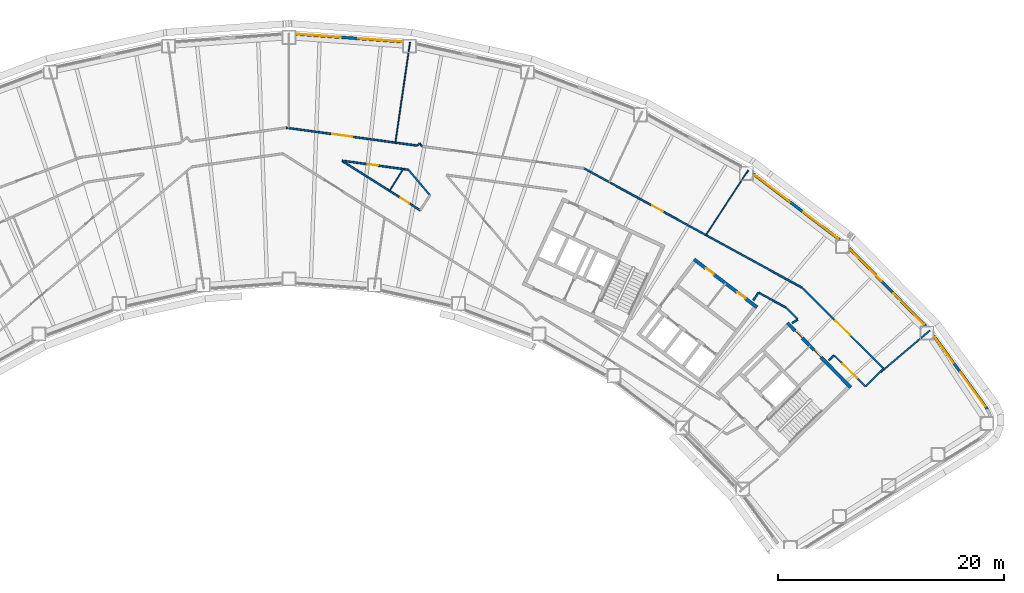
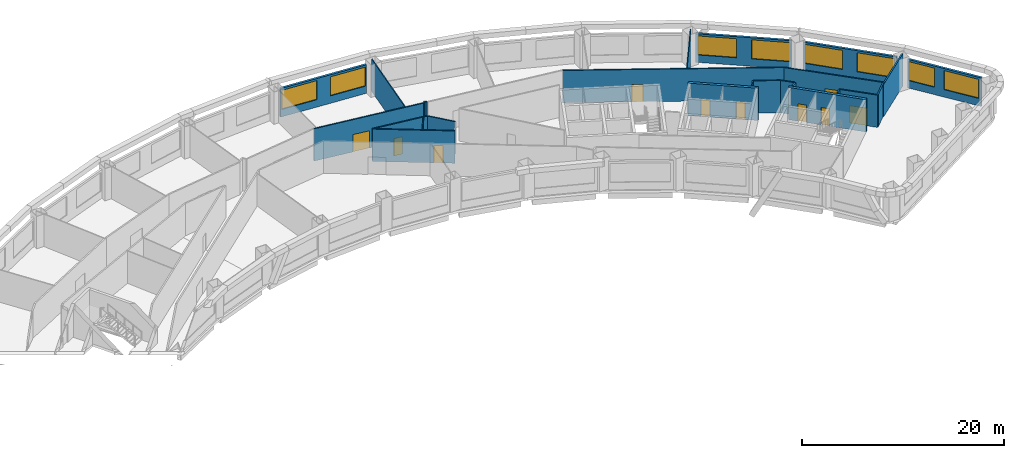
# One storey, part 7 of 10: 25 walls, 10 doors, 8 windows, 18 openings.
"""IFC4 building model written with IfcOpenShell, lengths in metres."""

from ifc_helpers import new_model, si_unit, direction, frame, frame_2d, origin, place, context, subcontext, project, spatial, rectangle, extrude, material, layer, layer_set, type_object, element, fill, save


model = new_model("IFC4")

# Units and contexts
model_context = context("Model", 3, precision=1e-05, world=origin(), true_north=direction((0.0, 1.0)))
body_context = subcontext(model_context, "Body", "Model", "MODEL_VIEW")
ifc_project = project(units=[si_unit("LENGTHUNIT", "METRE"), si_unit("AREAUNIT", "SQUARE_METRE"), si_unit("VOLUMEUNIT", "CUBIC_METRE"), si_unit("PLANEANGLEUNIT", "RADIAN"), si_unit("MASSUNIT", "GRAM", prefix="KILO")], contexts=[model_context])

# Site, building, storey
site_placement = place(None, origin())
site = spatial("IfcSite", under=ifc_project, at=site_placement, CompositionType="ELEMENT")
building_placement = place(site_placement, origin())
building = spatial("IfcBuilding", under=site, at=building_placement, Name="Tuul Gate Civic Tower", CompositionType="ELEMENT")
storey_placement = place(building_placement, frame((0.0, 0.0, 86.39990234375)))
storey = spatial("IfcBuildingStorey", under=building, at=storey_placement, Name="Level 19", CompositionType="ELEMENT", Elevation=86.39990234375)

# Wall, openings, doors
ifc_material_1 = material(Name="Concrete C50/60", Category="concrete")
ifc_layer_1 = layer(ifc_material_1, 0.300048828125)
ifc_layer_set_1 = layer_set([ifc_layer_1], Name="Concrete C50/60")
wall_type_1 = type_object("IfcWallType", Name="Core wall C50/60", PredefinedType="SHEAR", material=ifc_layer_set_1)
wall_1_placement = place(storey_placement, frame((54.43798828125, -12.23779296875, 0.0), z_axis=(0.0, 0.0, 1.0), x_axis=(-0.700021979774, 0.714121297703, 0.0)))
wall_1 = element("IfcWall", 1, at=wall_1_placement, inside=storey, type_object=wall_type_1, Name="Core wall", PredefinedType="SHEAR", context=body_context, shape_type="SweptSolid", body=[
    extrude(rectangle(XDim=8.0, YDim=0.300048828125, at=frame_2d((4.0, 0.0))), origin(), (0.0, 0.0, 1.0), 3.900146484375),
])
opening_1_placement = place(wall_1_placement, frame((3.75, 0.0, 0.0)))
opening_1 = element("IfcOpeningElement", 2, at=opening_1_placement, cuts=wall_1, Name="Opening F-D29", PredefinedType="OPENING", context=body_context, shape_type="SweptSolid", body=[
    extrude(rectangle(XDim=0.89990234375, YDim=2.10009765625, at=frame_2d((0.449951171875, 1.050048828125))), frame((0.0, 0.16015625, 0.0), z_axis=(0.0, -1.0, 0.0), x_axis=(1.0, 0.0, 0.0)), (0.0, 0.0, 1.0), 0.320068359375),
])
opening_2_placement = place(wall_1_placement, frame((6.125, 0.0, 0.0)))
opening_2 = element("IfcOpeningElement", 3, at=opening_2_placement, cuts=wall_1, Name="Opening F-D30", PredefinedType="OPENING", context=body_context, shape_type="SweptSolid", body=[
    extrude(rectangle(XDim=0.89990234375, YDim=2.10009765625, at=frame_2d((0.449951171875, 1.050048828125))), frame((0.0, 0.16015625, 0.0), z_axis=(0.0, -1.0, 0.0), x_axis=(1.0, 0.0, 0.0)), (0.0, 0.0, 1.0), 0.320068359375),
])
ifc_material_2 = material(Name="Timber door leaf", Category="wood")
door_type_1 = type_object("IfcDoorType", Name="Door D09", OperationType="NOTDEFINED", PredefinedType="DOOR", material=ifc_material_2)
door_1_placement = place(opening_1_placement, origin())
door_1 = element("IfcDoor", 4, at=door_1_placement, inside=storey, type_object=door_type_1, Name="Door F-D29", OperationType="SINGLE_SWING_LEFT", OverallHeight=2.10009765625, OverallWidth=0.89990234375, PredefinedType="DOOR", context=body_context, shape_type="SweptSolid", body=[
    extrude(rectangle(XDim=0.89990234375, YDim=2.10009765625, at=frame_2d((0.449951171875, 1.050048828125))), frame((0.0, 0.02490234375, 0.0), z_axis=(0.0, -1.0, 0.0), x_axis=(1.0, 0.0, 0.0)), (0.0, 0.0, 1.0), 0.050048828125),
])
fill(opening_1, door_1)
door_2_placement = place(opening_2_placement, origin())
door_2 = element("IfcDoor", 5, at=door_2_placement, inside=storey, type_object=door_type_1, Name="Door F-D30", OperationType="SINGLE_SWING_LEFT", OverallHeight=2.10009765625, OverallWidth=0.89990234375, PredefinedType="DOOR", context=body_context, shape_type="SweptSolid", body=[
    extrude(rectangle(XDim=0.89990234375, YDim=2.10009765625, at=frame_2d((0.449951171875, 1.050048828125))), frame((0.0, 0.02490234375, 0.0), z_axis=(0.0, -1.0, 0.0), x_axis=(1.0, 0.0, 0.0)), (0.0, 0.0, 1.0), 0.050048828125),
])
fill(opening_2, door_2)

# Walls
ifc_material_3 = material(Name="Gypsum board partition")
ifc_layer_2 = layer(ifc_material_3, 0.14990234375)
ifc_layer_set_2 = layer_set([ifc_layer_2], Name="Gypsum board partition")
wall_type_2 = type_object("IfcWallType", Name="Corridor wall P150", PredefinedType="PARTITIONING", material=ifc_layer_set_2)
wall_2_placement = place(storey_placement, frame((57.06787109375, -10.894775390625, 0.0), z_axis=(0.0, 0.0, 1.0), x_axis=(0.762772520213, 0.646666902206, 0.0)))
element("IfcWall", 6, at=wall_2_placement, inside=storey, type_object=wall_type_2, Name="p005", PredefinedType="PARTITIONING", context=body_context, shape_type="SweptSolid", body=[
    extrude(rectangle(XDim=5.7216796875, YDim=0.14990234375, at=frame_2d((2.86083984375, 0.0))), origin(), (0.0, 0.0, 1.0), 3.900146484375),
])
wall_3_placement = place(storey_placement, frame((55.7421875, -12.146484375, 0.0), z_axis=(0.0, 0.0, 1.0), x_axis=(0.703788490307, 0.710409572649, 0.0)))
element("IfcWall", 7, at=wall_3_placement, inside=storey, type_object=wall_type_2, Name="p006", PredefinedType="PARTITIONING", context=body_context, shape_type="SweptSolid", body=[
    extrude(rectangle(XDim=2.249267578125, YDim=0.14990234375, at=frame_2d((1.12451171875, 0.0))), origin(), (0.0, 0.0, 1.0), 3.900146484375),
])

# Wall, opening, door
wall_4_placement = place(storey_placement, frame((50.1171875, -3.406494140625, 0.0), z_axis=(0.0, 0.0, 1.0), x_axis=(0.710383510351, -0.703814796819, 0.0)))
wall_4 = element("IfcWall", 8, at=wall_4_placement, inside=storey, type_object=wall_type_2, Name="p007", PredefinedType="PARTITIONING", context=body_context, shape_type="SweptSolid", body=[
    extrude(rectangle(XDim=10.146728515625, YDim=0.14990234375, at=frame_2d((5.0732421875, 0.0))), origin(), (0.0, 0.0, 1.0), 3.900146484375),
])
opening_3_placement = place(wall_4_placement, frame((4.17333984375, 0.0, 0.0)))
opening_3 = element("IfcOpeningElement", 9, at=opening_3_placement, cuts=wall_4, Name="Opening F-D01", PredefinedType="OPENING", context=body_context, shape_type="SweptSolid", body=[
    extrude(rectangle(XDim=1.800048828125, YDim=2.10009765625, at=frame_2d((0.89990234375, 1.050048828125))), frame((0.0, 0.0849609375, 0.0), z_axis=(0.0, -1.0, 0.0), x_axis=(1.0, 0.0, 0.0)), (0.0, 0.0, 1.0), 0.169921875),
])
ifc_material_4 = material(Name="Timber door leaf, double", Category="wood")
door_type_2 = type_object("IfcDoorType", Name="Door D18", OperationType="DOUBLE_DOOR_SINGLE_SWING", PredefinedType="DOOR", material=ifc_material_4)
door_3_placement = place(opening_3_placement, origin())
door_3 = element("IfcDoor", 10, at=door_3_placement, inside=storey, type_object=door_type_2, Name="Door F-D01", OperationType="DOUBLE_DOOR_SINGLE_SWING", OverallHeight=2.10009765625, OverallWidth=1.800048828125, PredefinedType="DOOR", context=body_context, shape_type="SweptSolid", body=[
    extrude(rectangle(XDim=1.800048828125, YDim=2.10009765625, at=frame_2d((0.89990234375, 1.050048828125))), frame((0.0, 0.02490234375, 0.0), z_axis=(0.0, -1.0, 0.0), x_axis=(1.0, 0.0, 0.0)), (0.0, 0.0, 1.0), 0.050048828125),
])
fill(opening_3, door_3)

wall_5_placement = place(storey_placement, frame((30.8818359375, 7.12158203125, 0.0), z_axis=(0.0, 0.0, 1.0), x_axis=(0.877209600758, -0.480107609122, 0.0)))
wall_5 = element("IfcWall", 11, at=wall_5_placement, inside=storey, type_object=wall_type_2, Name="p008", PredefinedType="PARTITIONING", context=body_context, shape_type="SweptSolid", body=[
    extrude(rectangle(XDim=21.927001953125, YDim=0.14990234375, at=frame_2d((10.96337890625, 0.0))), origin(), (0.0, 0.0, 1.0), 3.900146484375),
])
opening_4_placement = place(wall_5_placement, frame((6.857666015625, 0.0, 0.0)))
opening_4 = element("IfcOpeningElement", 12, at=opening_4_placement, cuts=wall_5, Name="Opening F-D02", PredefinedType="OPENING", context=body_context, shape_type="SweptSolid", body=[
    extrude(rectangle(XDim=1.10009765625, YDim=2.10009765625, at=frame_2d((0.550048828125, 1.050048828125))), frame((0.0, 0.0849609375, 0.0), z_axis=(0.0, -1.0, 0.0), x_axis=(1.0, 0.0, 0.0)), (0.0, 0.0, 1.0), 0.169921875),
])
ifc_material_5 = material(Name="Timber door leaf", Category="wood")
door_type_3 = type_object("IfcDoorType", Name="Door D11", OperationType="NOTDEFINED", PredefinedType="DOOR", material=ifc_material_5)
door_4_placement = place(opening_4_placement, origin())
door_4 = element("IfcDoor", 13, at=door_4_placement, inside=storey, type_object=door_type_3, Name="Door F-D02", OperationType="SINGLE_SWING_RIGHT", OverallHeight=2.10009765625, OverallWidth=1.10009765625, PredefinedType="DOOR", context=body_context, shape_type="SweptSolid", body=[
    extrude(rectangle(XDim=1.10009765625, YDim=2.10009765625, at=frame_2d((0.550048828125, 1.050048828125))), frame((0.0, 0.02490234375, 0.0), z_axis=(0.0, -1.0, 0.0), x_axis=(1.0, 0.0, 0.0)), (0.0, 0.0, 1.0), 0.050048828125),
])
fill(opening_4, door_4)

wall_6_placement = place(storey_placement, frame((4.52392578125, 10.715087890625, 0.0), z_axis=(0.0, 0.0, 1.0), x_axis=(0.990835627406, -0.135073163368, 0.0)))
wall_6 = element("IfcWall", 14, at=wall_6_placement, inside=storey, type_object=wall_type_2, Name="p011", PredefinedType="PARTITIONING", context=body_context, shape_type="SweptSolid", body=[
    extrude(rectangle(XDim=11.69970703125, YDim=0.14990234375, at=frame_2d((5.849853515625, 0.0))), origin(), (0.0, 0.0, 1.0), 3.900146484375),
])
opening_5_placement = place(wall_6_placement, frame((4.13330078125, 0.0, 0.0)))
opening_5 = element("IfcOpeningElement", 15, at=opening_5_placement, cuts=wall_6, Name="Opening F-D05", PredefinedType="OPENING", context=body_context, shape_type="SweptSolid", body=[
    extrude(rectangle(XDim=1.800048828125, YDim=2.10009765625, at=frame_2d((0.89990234375, 1.050048828125))), frame((0.0, 0.0849609375, 0.0), z_axis=(0.0, -1.0, 0.0), x_axis=(1.0, 0.0, 0.0)), (0.0, 0.0, 1.0), 0.169921875),
])
door_5_placement = place(opening_5_placement, origin())
door_5 = element("IfcDoor", 16, at=door_5_placement, inside=storey, type_object=door_type_2, Name="Door F-D05", OperationType="DOUBLE_DOOR_SINGLE_SWING", OverallHeight=2.10009765625, OverallWidth=1.800048828125, PredefinedType="DOOR", context=body_context, shape_type="SweptSolid", body=[
    extrude(rectangle(XDim=1.800048828125, YDim=2.10009765625, at=frame_2d((0.89990234375, 1.050048828125))), frame((0.0, 0.02490234375, 0.0), z_axis=(0.0, -1.0, 0.0), x_axis=(1.0, 0.0, 0.0)), (0.0, 0.0, 1.0), 0.050048828125),
])
fill(opening_5, door_5)

# Walls
wall_7_placement = place(storey_placement, frame((16.346923828125, 9.3203125, 0.0), z_axis=(0.0, 0.0, 1.0), x_axis=(0.645837465776, -0.763474929385, 0.0)))
element("IfcWall", 17, at=wall_7_placement, inside=storey, type_object=wall_type_2, Name="p015", PredefinedType="PARTITIONING", context=body_context, shape_type="SweptSolid", body=[
    extrude(rectangle(XDim=0.3134765625, YDim=0.14990234375, at=frame_2d((0.15673828125, 0.0))), origin(), (0.0, 0.0, 1.0), 3.900146484375),
])
wall_8_placement = place(storey_placement, frame((16.132080078125, 9.139404296875, 0.0), z_axis=(0.0, 0.0, 1.0), x_axis=(0.764211041298, 0.644966266062, 0.0)))
element("IfcWall", 18, at=wall_8_placement, inside=storey, type_object=wall_type_2, Name="p017", PredefinedType="PARTITIONING", context=body_context, shape_type="SweptSolid", body=[
    extrude(rectangle(XDim=0.280517578125, YDim=0.14990234375, at=frame_2d((0.14013671875, 0.0))), origin(), (0.0, 0.0, 1.0), 3.900146484375),
])
wall_9_placement = place(storey_placement, frame((15.366943359375, 6.993896484375, 0.0), z_axis=(0.0, 0.0, 1.0), x_axis=(0.645340752688, -0.76389483106, 0.0)))
element("IfcWall", 19, at=wall_9_placement, inside=storey, type_object=wall_type_2, Name="p039", PredefinedType="PARTITIONING", context=body_context, shape_type="SweptSolid", body=[
    extrude(rectangle(XDim=2.930419921875, YDim=0.14990234375, at=frame_2d((1.46533203125, 0.0))), origin(), (0.0, 0.0, 1.0), 3.900146484375),
])

# Wall, opening, door
wall_10_placement = place(storey_placement, frame((9.52685546875, 7.7978515625, 0.0), z_axis=(0.0, 0.0, 1.0), x_axis=(0.990753809907, -0.135671987362, 0.0)))
wall_10 = element("IfcWall", 20, at=wall_10_placement, inside=storey, type_object=wall_type_2, Name="p048", PredefinedType="PARTITIONING", context=body_context, shape_type="SweptSolid", body=[
    extrude(rectangle(XDim=5.887939453125, YDim=0.14990234375, at=frame_2d((2.94384765625, 0.0))), origin(), (0.0, 0.0, 1.0), 3.900146484375),
])
opening_6_placement = place(wall_10_placement, frame((2.280517578125, 0.0, 0.0)))
opening_6 = element("IfcOpeningElement", 21, at=opening_6_placement, cuts=wall_10, Name="Opening F-D24", PredefinedType="OPENING", context=body_context, shape_type="SweptSolid", body=[
    extrude(rectangle(XDim=0.89990234375, YDim=2.10009765625, at=frame_2d((0.449951171875, 1.050048828125))), frame((0.0, 0.0849609375, 0.0), z_axis=(0.0, -1.0, 0.0), x_axis=(1.0, 0.0, 0.0)), (0.0, 0.0, 1.0), 0.169921875),
])
door_6_placement = place(opening_6_placement, frame((0.89990234375, 0.0, 0.0), z_axis=(0.0, 0.0, 1.0), x_axis=(-1.0, 0.0, 0.0)))
door_6 = element("IfcDoor", 22, at=door_6_placement, inside=storey, type_object=door_type_1, Name="Door F-D24", OperationType="SINGLE_SWING_LEFT", OverallHeight=2.10009765625, OverallWidth=0.89990234375, PredefinedType="DOOR", context=body_context, shape_type="SweptSolid", body=[
    extrude(rectangle(XDim=0.89990234375, YDim=2.10009765625, at=frame_2d((0.449951171875, 1.050048828125))), frame((0.0, 0.02490234375, 0.0), z_axis=(0.0, -1.0, 0.0), x_axis=(1.0, 0.0, 0.0)), (0.0, 0.0, 1.0), 0.050048828125),
])
fill(opening_6, door_6)

wall_11_placement = place(storey_placement, frame((9.5185546875, 7.767822265625, 0.0), z_axis=(0.0, 0.0, 1.0), x_axis=(0.845515942954, -0.533950175776, 0.0)))
wall_11 = element("IfcWall", 23, at=wall_11_placement, inside=storey, type_object=wall_type_2, Name="p051", PredefinedType="PARTITIONING", context=body_context, shape_type="SweptSolid", body=[
    extrude(rectangle(XDim=8.152587890625, YDim=0.14990234375, at=frame_2d((4.076171875, 0.0))), origin(), (0.0, 0.0, 1.0), 3.900146484375),
])
opening_7_placement = place(wall_11_placement, frame((6.09228515625, 0.0, 0.0)))
opening_7 = element("IfcOpeningElement", 24, at=opening_7_placement, cuts=wall_11, Name="Opening F-D17", PredefinedType="OPENING", context=body_context, shape_type="SweptSolid", body=[
    extrude(rectangle(XDim=0.89990234375, YDim=2.10009765625, at=frame_2d((0.449951171875, 1.050048828125))), frame((0.0, 0.0849609375, 0.0), z_axis=(0.0, -1.0, 0.0), x_axis=(1.0, 0.0, 0.0)), (0.0, 0.0, 1.0), 0.169921875),
])
door_7_placement = place(opening_7_placement, origin())
door_7 = element("IfcDoor", 25, at=door_7_placement, inside=storey, type_object=door_type_1, Name="Door F-D17", OperationType="SINGLE_SWING_RIGHT", OverallHeight=2.10009765625, OverallWidth=0.89990234375, PredefinedType="DOOR", context=body_context, shape_type="SweptSolid", body=[
    extrude(rectangle(XDim=0.89990234375, YDim=2.10009765625, at=frame_2d((0.449951171875, 1.050048828125))), frame((0.0, 0.02490234375, 0.0), z_axis=(0.0, -1.0, 0.0), x_axis=(1.0, 0.0, 0.0)), (0.0, 0.0, 1.0), 0.050048828125),
])
fill(opening_7, door_7)

# Walls
wall_12_placement = place(storey_placement, frame((45.83740234375, -4.530517578125, 0.0), z_axis=(0.0, 0.0, 1.0), x_axis=(0.541715741872, 0.84056174967, 0.0)))
element("IfcWall", 26, at=wall_12_placement, inside=storey, type_object=wall_type_2, Name="p055", PredefinedType="PARTITIONING", context=body_context, shape_type="SweptSolid", body=[
    extrude(rectangle(XDim=0.798095703125, YDim=0.14990234375, at=frame_2d((0.39892578125, 0.0))), origin(), (0.0, 0.0, 1.0), 3.900146484375),
])
wall_13_placement = place(storey_placement, frame((46.296142578125, -3.852783203125, 0.0), z_axis=(0.0, 0.0, 1.0), x_axis=(0.877427007324, -0.479710169601, 0.0)))
element("IfcWall", 27, at=wall_13_placement, inside=storey, type_object=wall_type_2, Name="p056", PredefinedType="PARTITIONING", context=body_context, shape_type="SweptSolid", body=[
    extrude(rectangle(XDim=2.73046875, YDim=0.14990234375, at=frame_2d((1.365234375, 0.0))), origin(), (0.0, 0.0, 1.0), 3.900146484375),
])
wall_14_placement = place(storey_placement, frame((48.696533203125, -5.166015625, 0.0), z_axis=(0.0, 0.0, 1.0), x_axis=(0.710333450834, -0.703865319949, 0.0)))
element("IfcWall", 28, at=wall_14_placement, inside=storey, type_object=wall_type_2, Name="p057", PredefinedType="PARTITIONING", context=body_context, shape_type="SweptSolid", body=[
    extrude(rectangle(XDim=1.47216796875, YDim=0.14990234375, at=frame_2d((0.736083984375, 0.0))), origin(), (0.0, 0.0, 1.0), 3.900146484375),
])

# Wall, opening, door
wall_15_placement = place(storey_placement, frame((52.975830078125, -9.40576171875, 0.0), z_axis=(0.0, 0.0, 1.0), x_axis=(0.710390578104, -0.703807663031, 0.0)))
wall_15 = element("IfcWall", 29, at=wall_15_placement, inside=storey, type_object=wall_type_2, Name="p058", PredefinedType="PARTITIONING", context=body_context, shape_type="SweptSolid", body=[
    extrude(rectangle(XDim=3.89404296875, YDim=0.14990234375, at=frame_2d((1.947021484375, 0.0))), origin(), (0.0, 0.0, 1.0), 3.900146484375),
])
opening_8_placement = place(wall_15_placement, frame((1.047119140625, 0.0, 0.0)))
opening_8 = element("IfcOpeningElement", 30, at=opening_8_placement, cuts=wall_15, Name="Opening F-D23", PredefinedType="OPENING", context=body_context, shape_type="SweptSolid", body=[
    extrude(rectangle(XDim=1.800048828125, YDim=2.10009765625, at=frame_2d((0.89990234375, 1.050048828125))), frame((0.0, 0.0849609375, 0.0), z_axis=(0.0, -1.0, 0.0), x_axis=(1.0, 0.0, 0.0)), (0.0, 0.0, 1.0), 0.169921875),
])
door_8_placement = place(opening_8_placement, origin())
door_8 = element("IfcDoor", 31, at=door_8_placement, inside=storey, type_object=door_type_2, Name="Door F-D23", OperationType="DOUBLE_DOOR_SINGLE_SWING", OverallHeight=2.10009765625, OverallWidth=1.800048828125, PredefinedType="DOOR", context=body_context, shape_type="SweptSolid", body=[
    extrude(rectangle(XDim=1.800048828125, YDim=2.10009765625, at=frame_2d((0.89990234375, 1.050048828125))), frame((0.0, 0.02490234375, 0.0), z_axis=(0.0, -1.0, 0.0), x_axis=(1.0, 0.0, 0.0)), (0.0, 0.0, 1.0), 0.050048828125),
])
fill(opening_8, door_8)

# Walls
wall_16_placement = place(storey_placement, frame((49.26708984375, -6.53369140625, 0.0), z_axis=(0.0, 0.0, 1.0), x_axis=(0.843481763289, 0.537157812006, 0.0)))
element("IfcWall", 32, at=wall_16_placement, inside=storey, type_object=wall_type_2, Name="p059", PredefinedType="PARTITIONING", context=body_context, shape_type="SweptSolid", body=[
    extrude(rectangle(XDim=0.5595703125, YDim=0.14990234375, at=frame_2d((0.27978515625, 0.0))), origin(), (0.0, 0.0, 1.0), 3.900146484375),
])
wall_17_placement = place(storey_placement, frame((52.50048828125, -9.8330078125, 0.0), z_axis=(0.0, 0.0, 1.0), x_axis=(0.722907467447, 0.690944855622, 0.0)))
element("IfcWall", 33, at=wall_17_placement, inside=storey, type_object=wall_type_2, Name="p064", PredefinedType="PARTITIONING", context=body_context, shape_type="SweptSolid", body=[
    extrude(rectangle(XDim=0.61865234375, YDim=0.14990234375, at=frame_2d((0.309326171875, 0.0))), origin(), (0.0, 0.0, 1.0), 3.900146484375),
])

# Wall, openings, windows
ifc_material_6 = material(Name="Precast concrete C40/50", Category="concrete")
ifc_layer_3 = layer(ifc_material_6, 0.25)
ifc_layer_set_3 = layer_set([ifc_layer_3], Name="Precast concrete C40/50")
wall_type_3 = type_object("IfcWallType", Name="External wall", PredefinedType="STANDARD", material=ifc_layer_set_3)
wall_18_placement = place(storey_placement, frame((66.498046875, -14.138671875, 0.0), z_axis=(0.0, 0.0, 1.0), x_axis=(-0.589838269776, 0.807521402508, 0.0)))
wall_18 = element("IfcWall", 34, at=wall_18_placement, inside=storey, type_object=wall_type_3, Name="External wall", PredefinedType="STANDARD", context=body_context, shape_type="SweptSolid", body=[
    extrude(rectangle(XDim=7.998779296875, YDim=0.25, at=frame_2d((3.99951171875, 0.0))), origin(), (0.0, 0.0, 1.0), 3.4501953125),
])
opening_9_placement = place(wall_18_placement, frame((0.301025390625, 0.0, 0.89990234375)))
opening_9 = element("IfcOpeningElement", 35, at=opening_9_placement, cuts=wall_18, Name="Opening W21", PredefinedType="OPENING", context=body_context, shape_type="SweptSolid", body=[
    extrude(rectangle(XDim=3.699951171875, YDim=2.300048828125, at=frame_2d((1.85009765625, 1.14990234375))), frame((0.0, 0.135009765625, 0.0), z_axis=(0.0, -1.0, 0.0), x_axis=(1.0, 0.0, 0.0)), (0.0, 0.0, 1.0), 0.27001953125),
])
opening_10_placement = place(wall_18_placement, frame((5.052978515625, 0.0, 0.89990234375)))
opening_10 = element("IfcOpeningElement", 36, at=opening_10_placement, cuts=wall_18, Name="Opening W23", PredefinedType="OPENING", context=body_context, shape_type="SweptSolid", body=[
    extrude(rectangle(XDim=2.800048828125, YDim=2.300048828125, at=frame_2d((1.39990234375, 1.14990234375))), frame((0.0, 0.135009765625, 0.0), z_axis=(0.0, -1.0, 0.0), x_axis=(1.0, 0.0, 0.0)), (0.0, 0.0, 1.0), 0.27001953125),
])
ifc_material_7 = material(Name="Glass", Category="glass")
window_type_1 = type_object("IfcWindowType", Name="Window W21 3700 x 2300", PartitioningType="SINGLE_PANEL", PredefinedType="WINDOW", material=ifc_material_7)
window_1_placement = place(opening_9_placement, origin())
window_1 = element("IfcWindow", 37, at=window_1_placement, inside=storey, type_object=window_type_1, Name="Window", OverallHeight=2.300048828125, OverallWidth=3.699951171875, PartitioningType="SINGLE_PANEL", PredefinedType="WINDOW", context=body_context, shape_type="SweptSolid", body=[
    extrude(rectangle(XDim=3.699951171875, YDim=2.300048828125, at=frame_2d((1.85009765625, 1.14990234375))), frame((0.0, 0.030029296875, 0.0), z_axis=(0.0, -1.0, 0.0), x_axis=(1.0, 0.0, 0.0)), (0.0, 0.0, 1.0), 0.06005859375),
])
fill(opening_9, window_1)
ifc_material_8 = material(Name="Glass", Category="glass")
window_type_2 = type_object("IfcWindowType", Name="Window W23 2800 x 2300", PartitioningType="SINGLE_PANEL", PredefinedType="WINDOW", material=ifc_material_8)
window_2_placement = place(opening_10_placement, origin())
window_2 = element("IfcWindow", 38, at=window_2_placement, inside=storey, type_object=window_type_2, Name="Window", OverallHeight=2.300048828125, OverallWidth=2.800048828125, PartitioningType="SINGLE_PANEL", PredefinedType="WINDOW", context=body_context, shape_type="SweptSolid", body=[
    extrude(rectangle(XDim=2.800048828125, YDim=2.300048828125, at=frame_2d((1.39990234375, 1.14990234375))), frame((0.0, 0.030029296875, 0.0), z_axis=(0.0, -1.0, 0.0), x_axis=(1.0, 0.0, 0.0)), (0.0, 0.0, 1.0), 0.06005859375),
])
fill(opening_10, window_2)

wall_19_placement = place(storey_placement, frame((61.047119140625, -6.80908203125, 0.0), z_axis=(0.0, 0.0, 1.0), x_axis=(-0.700049104252, 0.714094707749, 0.0)))
wall_19 = element("IfcWall", 39, at=wall_19_placement, inside=storey, type_object=wall_type_3, Name="External wall", PredefinedType="STANDARD", context=body_context, shape_type="SweptSolid", body=[
    extrude(rectangle(XDim=9.629638671875, YDim=0.25, at=frame_2d((4.81494140625, 0.0))), origin(), (0.0, 0.0, 1.0), 3.4501953125),
])
opening_11_placement = place(wall_19_placement, frame((0.206787109375, 0.0, 0.89990234375)))
opening_11 = element("IfcOpeningElement", 40, at=opening_11_placement, cuts=wall_19, Name="Opening W22", PredefinedType="OPENING", context=body_context, shape_type="SweptSolid", body=[
    extrude(rectangle(XDim=3.85009765625, YDim=2.300048828125, at=frame_2d((1.925048828125, 1.14990234375))), frame((0.0, 0.135009765625, 0.0), z_axis=(0.0, -1.0, 0.0), x_axis=(1.0, 0.0, 0.0)), (0.0, 0.0, 1.0), 0.27001953125),
])
opening_12_placement = place(wall_19_placement, frame((5.577880859375, 0.0, 0.89990234375)))
opening_12 = element("IfcOpeningElement", 41, at=opening_12_placement, cuts=wall_19, Name="Opening W22", PredefinedType="OPENING", context=body_context, shape_type="SweptSolid", body=[
    extrude(rectangle(XDim=3.85009765625, YDim=2.300048828125, at=frame_2d((1.925048828125, 1.14990234375))), frame((0.0, 0.135009765625, 0.0), z_axis=(0.0, -1.0, 0.0), x_axis=(1.0, 0.0, 0.0)), (0.0, 0.0, 1.0), 0.27001953125),
])
ifc_material_9 = material(Name="Glass", Category="glass")
window_type_3 = type_object("IfcWindowType", Name="Window W22 3850 x 2300", PartitioningType="SINGLE_PANEL", PredefinedType="WINDOW", material=ifc_material_9)
window_3_placement = place(opening_11_placement, origin())
window_3 = element("IfcWindow", 42, at=window_3_placement, inside=storey, type_object=window_type_3, Name="Window", OverallHeight=2.300048828125, OverallWidth=3.85009765625, PartitioningType="SINGLE_PANEL", PredefinedType="WINDOW", context=body_context, shape_type="SweptSolid", body=[
    extrude(rectangle(XDim=3.85009765625, YDim=2.300048828125, at=frame_2d((1.925048828125, 1.14990234375))), frame((0.0, 0.030029296875, 0.0), z_axis=(0.0, -1.0, 0.0), x_axis=(1.0, 0.0, 0.0)), (0.0, 0.0, 1.0), 0.06005859375),
])
fill(opening_11, window_3)
window_4_placement = place(opening_12_placement, origin())
window_4 = element("IfcWindow", 43, at=window_4_placement, inside=storey, type_object=window_type_3, Name="Window", OverallHeight=2.300048828125, OverallWidth=3.85009765625, PartitioningType="SINGLE_PANEL", PredefinedType="WINDOW", context=body_context, shape_type="SweptSolid", body=[
    extrude(rectangle(XDim=3.85009765625, YDim=2.300048828125, at=frame_2d((1.925048828125, 1.14990234375))), frame((0.0, 0.030029296875, 0.0), z_axis=(0.0, -1.0, 0.0), x_axis=(1.0, 0.0, 0.0)), (0.0, 0.0, 1.0), 0.06005859375),
])
fill(opening_12, window_4)

wall_20_placement = place(storey_placement, frame((53.45361328125, 0.81591796875, 0.0), z_axis=(0.0, 0.0, 1.0), x_axis=(-0.795611381341, 0.605807337262, 0.0)))
wall_20 = element("IfcWall", 44, at=wall_20_placement, inside=storey, type_object=wall_type_3, Name="External wall", PredefinedType="STANDARD", context=body_context, shape_type="SweptSolid", body=[
    extrude(rectangle(XDim=9.60595703125, YDim=0.25, at=frame_2d((4.802978515625, 0.0))), origin(), (0.0, 0.0, 1.0), 3.4501953125),
])
opening_13_placement = place(wall_20_placement, frame((0.1640625, 0.0, 0.89990234375)))
opening_13 = element("IfcOpeningElement", 45, at=opening_13_placement, cuts=wall_20, Name="Opening W22", PredefinedType="OPENING", context=body_context, shape_type="SweptSolid", body=[
    extrude(rectangle(XDim=3.85009765625, YDim=2.300048828125, at=frame_2d((1.925048828125, 1.14990234375))), frame((0.0, 0.135009765625, 0.0), z_axis=(0.0, -1.0, 0.0), x_axis=(1.0, 0.0, 0.0)), (0.0, 0.0, 1.0), 0.27001953125),
])
opening_14_placement = place(wall_20_placement, frame((5.535400390625, 0.0, 0.89990234375)))
opening_14 = element("IfcOpeningElement", 46, at=opening_14_placement, cuts=wall_20, Name="Opening W22", PredefinedType="OPENING", context=body_context, shape_type="SweptSolid", body=[
    extrude(rectangle(XDim=3.85009765625, YDim=2.300048828125, at=frame_2d((1.925048828125, 1.14990234375))), frame((0.0, 0.135009765625, 0.0), z_axis=(0.0, -1.0, 0.0), x_axis=(1.0, 0.0, 0.0)), (0.0, 0.0, 1.0), 0.27001953125),
])
window_5_placement = place(opening_13_placement, origin())
window_5 = element("IfcWindow", 47, at=window_5_placement, inside=storey, type_object=window_type_3, Name="Window", OverallHeight=2.300048828125, OverallWidth=3.85009765625, PartitioningType="SINGLE_PANEL", PredefinedType="WINDOW", context=body_context, shape_type="SweptSolid", body=[
    extrude(rectangle(XDim=3.85009765625, YDim=2.300048828125, at=frame_2d((1.925048828125, 1.14990234375))), frame((0.0, 0.030029296875, 0.0), z_axis=(0.0, -1.0, 0.0), x_axis=(1.0, 0.0, 0.0)), (0.0, 0.0, 1.0), 0.06005859375),
])
fill(opening_13, window_5)
window_6_placement = place(opening_14_placement, origin())
window_6 = element("IfcWindow", 48, at=window_6_placement, inside=storey, type_object=window_type_3, Name="Window", OverallHeight=2.300048828125, OverallWidth=3.85009765625, PartitioningType="SINGLE_PANEL", PredefinedType="WINDOW", context=body_context, shape_type="SweptSolid", body=[
    extrude(rectangle(XDim=3.85009765625, YDim=2.300048828125, at=frame_2d((1.925048828125, 1.14990234375))), frame((0.0, 0.030029296875, 0.0), z_axis=(0.0, -1.0, 0.0), x_axis=(1.0, 0.0, 0.0)), (0.0, 0.0, 1.0), 0.06005859375),
])
fill(opening_14, window_6)

wall_21_placement = place(storey_placement, frame((14.85791015625, 18.304931640625, 0.0), z_axis=(0.0, 0.0, 1.0), x_axis=(-0.997388240585, 0.072226709338, 0.0)))
wall_21 = element("IfcWall", 49, at=wall_21_placement, inside=storey, type_object=wall_type_3, Name="External wall", PredefinedType="STANDARD", context=body_context, shape_type="SweptSolid", body=[
    extrude(rectangle(XDim=9.474609375, YDim=0.25, at=frame_2d((4.7373046875, 0.0))), origin(), (0.0, 0.0, 1.0), 3.4501953125),
])
opening_15_placement = place(wall_21_placement, frame((0.10302734375, 0.0, 0.89990234375)))
opening_15 = element("IfcOpeningElement", 50, at=opening_15_placement, cuts=wall_21, Name="Opening W22", PredefinedType="OPENING", context=body_context, shape_type="SweptSolid", body=[
    extrude(rectangle(XDim=3.85009765625, YDim=2.300048828125, at=frame_2d((1.925048828125, 1.14990234375))), frame((0.0, 0.135009765625, 0.0), z_axis=(0.0, -1.0, 0.0), x_axis=(1.0, 0.0, 0.0)), (0.0, 0.0, 1.0), 0.27001953125),
])
opening_16_placement = place(wall_21_placement, frame((5.474609375, 0.0, 0.89990234375)))
opening_16 = element("IfcOpeningElement", 51, at=opening_16_placement, cuts=wall_21, Name="Opening W22", PredefinedType="OPENING", context=body_context, shape_type="SweptSolid", body=[
    extrude(rectangle(XDim=3.85009765625, YDim=2.300048828125, at=frame_2d((1.925048828125, 1.14990234375))), frame((0.0, 0.135009765625, 0.0), z_axis=(0.0, -1.0, 0.0), x_axis=(1.0, 0.0, 0.0)), (0.0, 0.0, 1.0), 0.27001953125),
])
window_7_placement = place(opening_15_placement, origin())
window_7 = element("IfcWindow", 52, at=window_7_placement, inside=storey, type_object=window_type_3, Name="Window", OverallHeight=2.300048828125, OverallWidth=3.85009765625, PartitioningType="SINGLE_PANEL", PredefinedType="WINDOW", context=body_context, shape_type="SweptSolid", body=[
    extrude(rectangle(XDim=3.85009765625, YDim=2.300048828125, at=frame_2d((1.925048828125, 1.14990234375))), frame((0.0, 0.030029296875, 0.0), z_axis=(0.0, -1.0, 0.0), x_axis=(1.0, 0.0, 0.0)), (0.0, 0.0, 1.0), 0.06005859375),
])
fill(opening_15, window_7)
window_8_placement = place(opening_16_placement, origin())
window_8 = element("IfcWindow", 53, at=window_8_placement, inside=storey, type_object=window_type_3, Name="Window", OverallHeight=2.300048828125, OverallWidth=3.85009765625, PartitioningType="SINGLE_PANEL", PredefinedType="WINDOW", context=body_context, shape_type="SweptSolid", body=[
    extrude(rectangle(XDim=3.85009765625, YDim=2.300048828125, at=frame_2d((1.925048828125, 1.14990234375))), frame((0.0, 0.030029296875, 0.0), z_axis=(0.0, -1.0, 0.0), x_axis=(1.0, 0.0, 0.0)), (0.0, 0.0, 1.0), 0.06005859375),
])
fill(opening_16, window_8)

# Wall, openings, doors
ifc_material_10 = material(Name="Concrete C40/50", Category="concrete")
ifc_layer_4 = layer(ifc_material_10, 0.300048828125)
ifc_layer_set_4 = layer_set([ifc_layer_4], Name="Concrete C40/50")
wall_type_4 = type_object("IfcWallType", Name="Lift shaft wall C40/50", PredefinedType="STANDARD", material=ifc_layer_set_4)
wall_22_placement = place(storey_placement, frame((46.1591796875, -5.1533203125, 0.0), z_axis=(0.0, 0.0, 1.0), x_axis=(-0.795579811045, 0.605848796531, 0.0)))
wall_22 = element("IfcWall", 54, at=wall_22_placement, inside=storey, type_object=wall_type_4, Name="Shaft wall", PredefinedType="STANDARD", context=body_context, shape_type="SweptSolid", body=[
    extrude(rectangle(XDim=7.0, YDim=0.300048828125, at=frame_2d((3.5, 0.0))), origin(), (0.0, 0.0, 1.0), 3.900146484375),
])
opening_17_placement = place(wall_22_placement, frame((1.300048828125, 0.0, 0.0)))
opening_17 = element("IfcOpeningElement", 55, at=opening_17_placement, cuts=wall_22, Name="Opening F-D27", PredefinedType="OPENING", context=body_context, shape_type="SweptSolid", body=[
    extrude(rectangle(XDim=0.89990234375, YDim=2.10009765625, at=frame_2d((0.449951171875, 1.050048828125))), frame((0.0, 0.16015625, 0.0), z_axis=(0.0, -1.0, 0.0), x_axis=(1.0, 0.0, 0.0)), (0.0, 0.0, 1.0), 0.320068359375),
])
opening_18_placement = place(wall_22_placement, frame((4.800048828125, 0.0, 0.0)))
opening_18 = element("IfcOpeningElement", 56, at=opening_18_placement, cuts=wall_22, Name="Opening F-D28", PredefinedType="OPENING", context=body_context, shape_type="SweptSolid", body=[
    extrude(rectangle(XDim=0.89990234375, YDim=2.10009765625, at=frame_2d((0.449951171875, 1.050048828125))), frame((0.0, 0.16015625, 0.0), z_axis=(0.0, -1.0, 0.0), x_axis=(1.0, 0.0, 0.0)), (0.0, 0.0, 1.0), 0.320068359375),
])
door_9_placement = place(opening_17_placement, origin())
door_9 = element("IfcDoor", 57, at=door_9_placement, inside=storey, type_object=door_type_1, Name="Door F-D27", OperationType="SINGLE_SWING_LEFT", OverallHeight=2.10009765625, OverallWidth=0.89990234375, PredefinedType="DOOR", context=body_context, shape_type="SweptSolid", body=[
    extrude(rectangle(XDim=0.89990234375, YDim=2.10009765625, at=frame_2d((0.449951171875, 1.050048828125))), frame((0.0, 0.02490234375, 0.0), z_axis=(0.0, -1.0, 0.0), x_axis=(1.0, 0.0, 0.0)), (0.0, 0.0, 1.0), 0.050048828125),
])
fill(opening_17, door_9)
door_10_placement = place(opening_18_placement, origin())
door_10 = element("IfcDoor", 58, at=door_10_placement, inside=storey, type_object=door_type_1, Name="Door F-D28", OperationType="SINGLE_SWING_RIGHT", OverallHeight=2.10009765625, OverallWidth=0.89990234375, PredefinedType="DOOR", context=body_context, shape_type="SweptSolid", body=[
    extrude(rectangle(XDim=0.89990234375, YDim=2.10009765625, at=frame_2d((0.449951171875, 1.050048828125))), frame((0.0, 0.02490234375, 0.0), z_axis=(0.0, -1.0, 0.0), x_axis=(1.0, 0.0, 0.0)), (0.0, 0.0, 1.0), 0.050048828125),
])
fill(opening_18, door_10)

# Walls
ifc_material_11 = material(Name="Gypsum board partition")
ifc_layer_5 = layer(ifc_material_11, 0.10009765625)
ifc_layer_set_5 = layer_set([ifc_layer_5], Name="Gypsum board partition")
wall_type_5 = type_object("IfcWallType", Name="Partition P100", PredefinedType="PARTITIONING", material=ifc_layer_set_5)
wall_23_placement = place(storey_placement, frame((41.648681640625, 1.22900390625, 0.0), z_axis=(0.0, 0.0, 1.0), x_axis=(0.546733287922, 0.837306820633, 0.0)))
element("IfcWall", 59, at=wall_23_placement, inside=storey, type_object=wall_type_5, Name="p001", PredefinedType="PARTITIONING", context=body_context, shape_type="SweptSolid", body=[
    extrude(rectangle(XDim=6.845947265625, YDim=0.10009765625, at=frame_2d((3.4228515625, 0.0))), origin(), (0.0, 0.0, 1.0), 3.900146484375),
])
wall_24_placement = place(storey_placement, frame((14.2138671875, 9.394287109375, 0.0), z_axis=(0.0, 0.0, 1.0), x_axis=(0.144132399915, 0.98955841227, 0.0)))
element("IfcWall", 60, at=wall_24_placement, inside=storey, type_object=wall_type_5, Name="p014", PredefinedType="PARTITIONING", context=body_context, shape_type="SweptSolid", body=[
    extrude(rectangle(XDim=8.962158203125, YDim=0.10009765625, at=frame_2d((4.48095703125, 0.0))), origin(), (0.0, 0.0, 1.0), 3.900146484375),
])
wall_25_placement = place(storey_placement, frame((13.68896484375, 5.13427734375, 0.0), z_axis=(0.0, 0.0, 1.0), x_axis=(0.533912379842, 0.845539810211, 0.0)))
element("IfcWall", 61, at=wall_25_placement, inside=storey, type_object=wall_type_5, Name="p053", PredefinedType="PARTITIONING", context=body_context, shape_type="SweptSolid", body=[
    extrude(rectangle(XDim=2.279052734375, YDim=0.10009765625, at=frame_2d((1.1396484375, 0.0))), origin(), (0.0, 0.0, 1.0), 3.900146484375),
])

save(model, "model.ifc")
